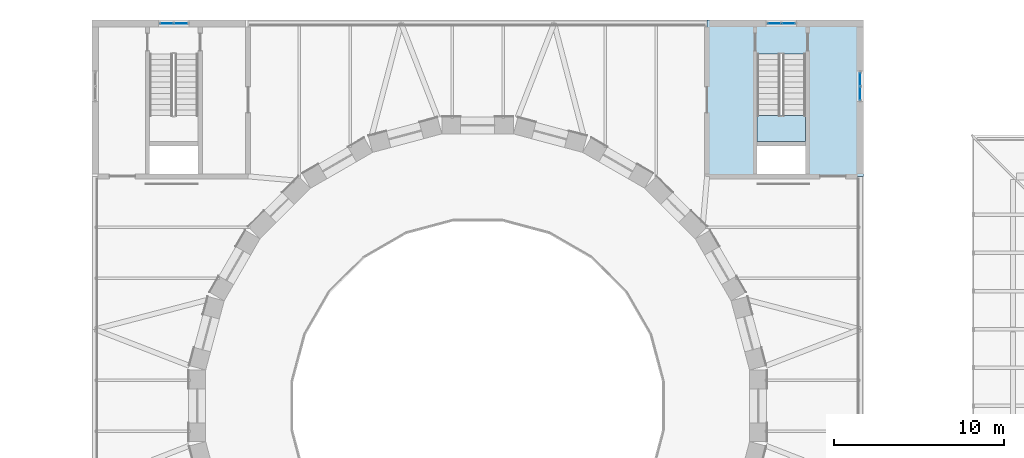
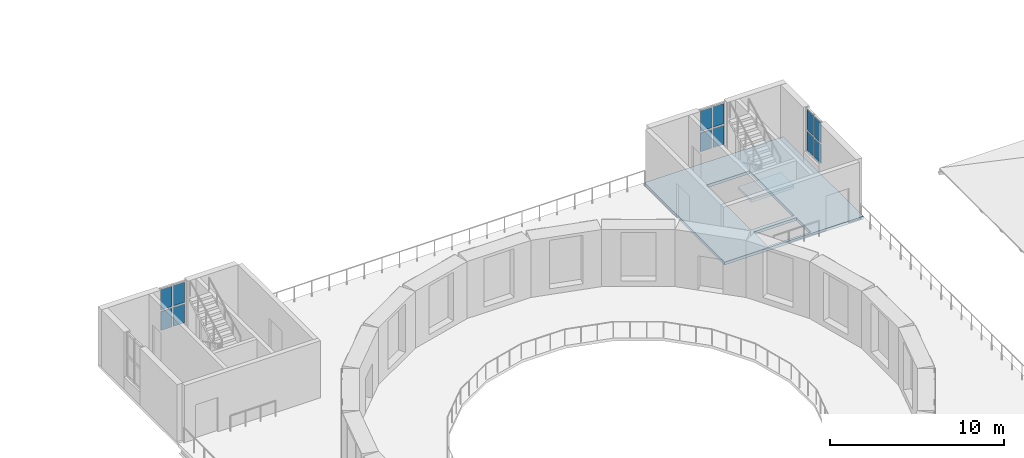
# One storey, part 97 of 154: 12 plates, 2 slabs, 4 elements without a shape of their own.
"""IFC4 building model written with IfcOpenShell, lengths in metres."""

from ifc_helpers import new_model, si_unit, direction, frame, origin, origin_2d, place, context, subcontext, project, spatial, polyline, rectangle, outline, extrude, material, layer, layer_set, type_object, element, aggregate, save


model = new_model("IFC4")

# Units and contexts
model_context = context("Model", 3, precision=1e-05, world=origin(), true_north=direction((0.0, 1.0)))
body_context = subcontext(model_context, "Body", "Model", "MODEL_VIEW")
ifc_project = project(units=[si_unit("LENGTHUNIT", "METRE"), si_unit("AREAUNIT", "SQUARE_METRE"), si_unit("VOLUMEUNIT", "CUBIC_METRE"), si_unit("PLANEANGLEUNIT", "RADIAN"), si_unit("MASSUNIT", "GRAM", prefix="KILO")], contexts=[model_context])

# Site, building, storey
site_placement = place(None, origin())
site = spatial("IfcSite", under=ifc_project, at=site_placement, CompositionType="ELEMENT")
building_placement = place(site_placement, origin())
building = spatial("IfcBuilding", under=site, at=building_placement, Name="Golden Quay Civic Hall", CompositionType="ELEMENT")
storey_placement = place(building_placement, frame((0.0, 0.0, 14.39990234375)))
storey = spatial("IfcBuildingStorey", under=building, at=storey_placement, Name="L03", CompositionType="ELEMENT", Elevation=14.39990234375)

# Slab
ifc_material_1 = material(Name="Concrete C35/45", Category="concrete")
ifc_layer_1 = layer(ifc_material_1, 0.199951171875)
ifc_layer_set_1 = layer_set([ifc_layer_1], Name="Composite floor 200")
slab_type_1 = type_object("IfcSlabType", Name="Composite floor 200", PredefinedType="FLOOR", material=ifc_layer_set_1)
slab_1_placement = place(storey_placement, frame((0.0, 0.0, -0.199951171875)))
element("IfcSlab", 1, at=slab_1_placement, inside=storey, type_object=slab_type_1, Name="Slab", PredefinedType="FLOOR", context=body_context, shape_type="SweptSolid", body=[
    extrude(outline(polyline([(108.199951171875, 108.199951171875), (108.199951171875, 99.0), (99.0, 99.0), (99.0, 108.199951171875), (108.199951171875, 108.199951171875)]), holes=[polyline([(101.949951171875, 99.14990234375), (104.800048828125, 99.14990234375), (104.800048828125, 100.800048828125), (101.949951171875, 100.800048828125), (101.949951171875, 99.14990234375)]), polyline([(104.800048828125, 101.050048828125), (104.800048828125, 106.195068359375), (101.949951171875, 106.195068359375), (101.949951171875, 101.050048828125), (104.800048828125, 101.050048828125)])]), origin(), (0.0, 0.0, 1.0), 0.199951171875),
])

# Curtain wall, plates
ifc_material_2 = material(Name="Fire-resisting glass and steel", Category="steel")
curtain_wall_type = type_object("IfcCurtainWallType", Name="Fire-resisting glazed stair curtain wall EI 120", PredefinedType="NOTDEFINED", material=ifc_material_2)
curtain_wall_1_placement = place(storey_placement, origin())
curtain_wall_1 = element("IfcCurtainWall", 2, at=curtain_wall_1_placement, inside=storey, type_object=curtain_wall_type, Name="CW4 stair curtain wall", PredefinedType="NOTDEFINED")
ifc_material_3 = material(Name="Fire-resisting laminated glass", Category="glass")
ifc_layer_2 = layer(ifc_material_3, 0.0400390625)
ifc_layer_set_2 = layer_set([ifc_layer_2], Name="Fire-resisting glazed stair panel 40")
plate_type = type_object("IfcPlateType", Name="Fire-resisting glazed stair panel 40", PredefinedType="CURTAIN_PANEL", material=ifc_layer_set_2)
plate_1_placement = place(storey_placement, frame((67.205078125, 108.0, 1.02001953125), z_axis=(0.0, 0.0, 1.0), x_axis=(1.0, 0.0, 0.0)))
plate_1 = element("IfcPlate", 3, at=plate_1_placement, type_object=plate_type, Name="CW4 panel 1.1", PredefinedType="CURTAIN_PANEL", context=body_context, shape_type="SweptSolid", body=[
    extrude(rectangle(XDim=0.719970703125, YDim=0.0400390625, at=origin_2d()), origin(), (0.0, 0.0, 1.0), 1.320068359375),
])
plate_2_placement = place(storey_placement, frame((67.205078125, 108.0, 2.460205078125), z_axis=(0.0, 0.0, 1.0), x_axis=(1.0, 0.0, 0.0)))
plate_2 = element("IfcPlate", 4, at=plate_2_placement, type_object=plate_type, Name="CW4 panel 1.2", PredefinedType="CURTAIN_PANEL", context=body_context, shape_type="SweptSolid", body=[
    extrude(rectangle(XDim=0.719970703125, YDim=0.0400390625, at=origin_2d()), origin(), (0.0, 0.0, 1.0), 1.419921875),
])
plate_3_placement = place(storey_placement, frame((68.044921875, 108.0, 1.02001953125), z_axis=(0.0, 0.0, 1.0), x_axis=(1.0, 0.0, 0.0)))
plate_3 = element("IfcPlate", 5, at=plate_3_placement, type_object=plate_type, Name="CW4 panel 2.1", PredefinedType="CURTAIN_PANEL", context=body_context, shape_type="SweptSolid", body=[
    extrude(rectangle(XDim=0.719970703125, YDim=0.0400390625, at=origin_2d()), origin(), (0.0, 0.0, 1.0), 1.320068359375),
])
plate_4_placement = place(storey_placement, frame((68.044921875, 108.0, 2.460205078125), z_axis=(0.0, 0.0, 1.0), x_axis=(1.0, 0.0, 0.0)))
plate_4 = element("IfcPlate", 6, at=plate_4_placement, type_object=plate_type, Name="CW4 panel 2.2", PredefinedType="CURTAIN_PANEL", context=body_context, shape_type="SweptSolid", body=[
    extrude(rectangle(XDim=0.719970703125, YDim=0.0400390625, at=origin_2d()), origin(), (0.0, 0.0, 1.0), 1.419921875),
])
aggregate(curtain_wall_1, [plate_1, plate_2, plate_3, plate_4])

curtain_wall_2_placement = place(storey_placement, origin())
curtain_wall_2 = element("IfcCurtainWall", 7, at=curtain_wall_2_placement, inside=storey, type_object=curtain_wall_type, Name="CW4 stair curtain wall", PredefinedType="NOTDEFINED")
plate_5_placement = place(storey_placement, frame((102.955078125, 108.0, 1.02001953125), z_axis=(0.0, 0.0, 1.0), x_axis=(1.0, 0.0, 0.0)))
plate_5 = element("IfcPlate", 8, at=plate_5_placement, type_object=plate_type, Name="CW4 panel 1.1", PredefinedType="CURTAIN_PANEL", context=body_context, shape_type="SweptSolid", body=[
    extrude(rectangle(XDim=0.719970703125, YDim=0.0400390625, at=origin_2d()), origin(), (0.0, 0.0, 1.0), 1.320068359375),
])
plate_6_placement = place(storey_placement, frame((102.955078125, 108.0, 2.460205078125), z_axis=(0.0, 0.0, 1.0), x_axis=(1.0, 0.0, 0.0)))
plate_6 = element("IfcPlate", 9, at=plate_6_placement, type_object=plate_type, Name="CW4 panel 1.2", PredefinedType="CURTAIN_PANEL", context=body_context, shape_type="SweptSolid", body=[
    extrude(rectangle(XDim=0.719970703125, YDim=0.0400390625, at=origin_2d()), origin(), (0.0, 0.0, 1.0), 1.419921875),
])
plate_7_placement = place(storey_placement, frame((103.794921875, 108.0, 1.02001953125), z_axis=(0.0, 0.0, 1.0), x_axis=(1.0, 0.0, 0.0)))
plate_7 = element("IfcPlate", 10, at=plate_7_placement, type_object=plate_type, Name="CW4 panel 2.1", PredefinedType="CURTAIN_PANEL", context=body_context, shape_type="SweptSolid", body=[
    extrude(rectangle(XDim=0.719970703125, YDim=0.0400390625, at=origin_2d()), origin(), (0.0, 0.0, 1.0), 1.320068359375),
])
plate_8_placement = place(storey_placement, frame((103.794921875, 108.0, 2.460205078125), z_axis=(0.0, 0.0, 1.0), x_axis=(1.0, 0.0, 0.0)))
plate_8 = element("IfcPlate", 11, at=plate_8_placement, type_object=plate_type, Name="CW4 panel 2.2", PredefinedType="CURTAIN_PANEL", context=body_context, shape_type="SweptSolid", body=[
    extrude(rectangle(XDim=0.719970703125, YDim=0.0400390625, at=origin_2d()), origin(), (0.0, 0.0, 1.0), 1.419921875),
])
aggregate(curtain_wall_2, [plate_5, plate_6, plate_7, plate_8])

curtain_wall_3_placement = place(storey_placement, origin())
curtain_wall_3 = element("IfcCurtainWall", 12, at=curtain_wall_3_placement, inside=storey, type_object=curtain_wall_type, Name="CW4 stair curtain wall", PredefinedType="NOTDEFINED")
plate_9_placement = place(storey_placement, frame((108.0, 103.8798828125, 1.02001953125), z_axis=(0.0, 0.0, 1.0), x_axis=(0.0, 1.0, 0.0)))
plate_9 = element("IfcPlate", 13, at=plate_9_placement, type_object=plate_type, Name="CW4 panel 1.1", PredefinedType="CURTAIN_PANEL", context=body_context, shape_type="SweptSolid", body=[
    extrude(rectangle(XDim=0.719970703125, YDim=0.0400390625, at=origin_2d()), origin(), (0.0, 0.0, 1.0), 1.320068359375),
])
plate_10_placement = place(storey_placement, frame((108.0, 103.8798828125, 2.460205078125), z_axis=(0.0, 0.0, 1.0), x_axis=(0.0, 1.0, 0.0)))
plate_10 = element("IfcPlate", 14, at=plate_10_placement, type_object=plate_type, Name="CW4 panel 1.2", PredefinedType="CURTAIN_PANEL", context=body_context, shape_type="SweptSolid", body=[
    extrude(rectangle(XDim=0.719970703125, YDim=0.0400390625, at=origin_2d()), origin(), (0.0, 0.0, 1.0), 1.419921875),
])
plate_11_placement = place(storey_placement, frame((108.0, 104.719970703125, 1.02001953125), z_axis=(0.0, 0.0, 1.0), x_axis=(0.0, 1.0, 0.0)))
plate_11 = element("IfcPlate", 15, at=plate_11_placement, type_object=plate_type, Name="CW4 panel 2.1", PredefinedType="CURTAIN_PANEL", context=body_context, shape_type="SweptSolid", body=[
    extrude(rectangle(XDim=0.719970703125, YDim=0.0400390625, at=origin_2d()), origin(), (0.0, 0.0, 1.0), 1.320068359375),
])
plate_12_placement = place(storey_placement, frame((108.0, 104.719970703125, 2.460205078125), z_axis=(0.0, 0.0, 1.0), x_axis=(0.0, 1.0, 0.0)))
plate_12 = element("IfcPlate", 16, at=plate_12_placement, type_object=plate_type, Name="CW4 panel 2.2", PredefinedType="CURTAIN_PANEL", context=body_context, shape_type="SweptSolid", body=[
    extrude(rectangle(XDim=0.719970703125, YDim=0.0400390625, at=origin_2d()), origin(), (0.0, 0.0, 1.0), 1.419921875),
])
aggregate(curtain_wall_3, [plate_9, plate_10, plate_11, plate_12])

# Stair, slab
ifc_material_4 = material(Name="Concrete C35/45", Category="concrete")
stair_type = type_object("IfcStairType", Name="Reinforced concrete stair 1350", PredefinedType="HALF_TURN_STAIR", material=ifc_material_4)
stair_placement = place(storey_placement, origin())
stair = element("IfcStair", 17, at=stair_placement, inside=storey, type_object=stair_type, Name="L03 Core stair NE", PredefinedType="HALF_TURN_STAIR")
ifc_material_5 = material(Name="Concrete C35/45", Category="concrete")
ifc_layer_3 = layer(ifc_material_5, 0.199951171875)
ifc_layer_set_3 = layer_set([ifc_layer_3], Name="Reinforced concrete stair landing 200, Concrete C35/45")
slab_type_2 = type_object("IfcSlabType", Name="Reinforced concrete stair landing 200", PredefinedType="LANDING", material=ifc_layer_set_3)
slab_2_placement = place(storey_placement, frame((0.0, 0.0, 1.900146484375)))
slab_2 = element("IfcSlab", 18, at=slab_2_placement, type_object=slab_type_2, Name="CB-NE landing 1", PredefinedType="LANDING", context=body_context, shape_type="SweptSolid", body=[
    extrude(outline(polyline([(101.949951171875, 102.570068359375), (101.949951171875, 101.050048828125), (104.800048828125, 101.050048828125), (104.800048828125, 102.570068359375), (101.949951171875, 102.570068359375)])), origin(), (0.0, 0.0, 1.0), 0.199951171875),
])
aggregate(stair, [slab_2])

save(model, "model.ifc")
